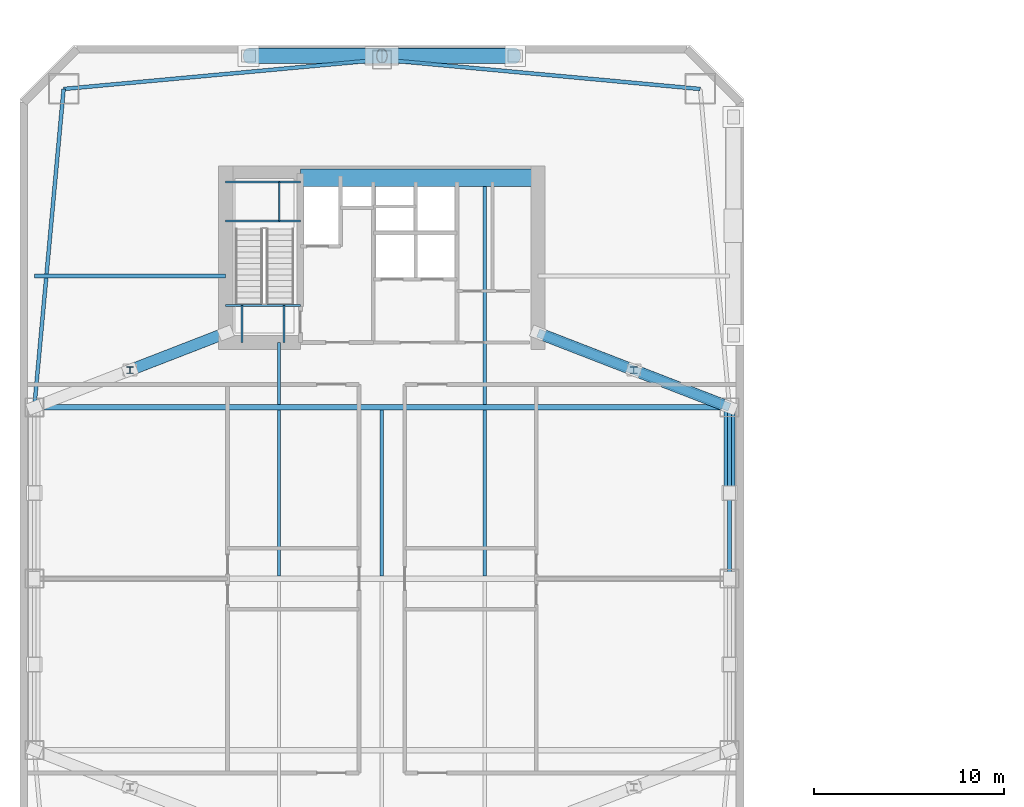
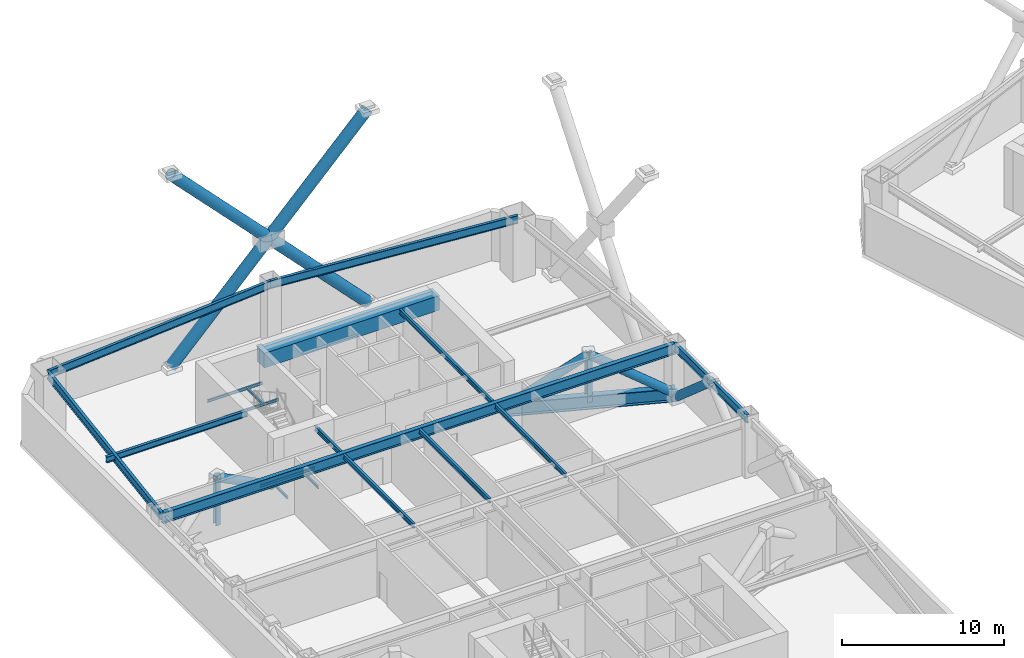
# One storey, part 5 of 19: 19 beams, 10 members.
"""IFC4 building model written with IfcOpenShell, lengths in metres."""

from ifc_helpers import new_model, si_unit, direction, frame, origin, origin_2d, place, context, subcontext, project, spatial, rectangle, hollow_circle, i_section, extrude, material, material_profile, profile_set, type_object, element, save


model = new_model("IFC4")

# Units and contexts
model_context = context("Model", 3, precision=1e-05, world=origin(), true_north=direction((0.0, 1.0)))
body_context = subcontext(model_context, "Body", "Model", "MODEL_VIEW")
ifc_project = project(units=[si_unit("LENGTHUNIT", "METRE"), si_unit("AREAUNIT", "SQUARE_METRE"), si_unit("VOLUMEUNIT", "CUBIC_METRE"), si_unit("PLANEANGLEUNIT", "RADIAN"), si_unit("MASSUNIT", "GRAM", prefix="KILO")], contexts=[model_context])

# Site, building, storey
site_placement = place(None, origin())
site = spatial("IfcSite", under=ifc_project, at=site_placement, CompositionType="ELEMENT")
building_placement = place(site_placement, origin())
building = spatial("IfcBuilding", under=site, at=building_placement, Name="Qiaolan Cultural Towers", CompositionType="ELEMENT")
storey_placement = place(building_placement, frame((0.0, 0.0, 92.0)))
storey = spatial("IfcBuildingStorey", under=building, at=storey_placement, Name="L23", CompositionType="ELEMENT", Elevation=92.0)

# Beams
ifc_material_1 = material(Name="Steel Q390GJB", Category="steel")
ifc_material_profile_1 = material_profile(ifc_material_1, i_section(OverallWidth=0.449951171875, OverallDepth=1.0, WebThickness=0.02392578125, FlangeThickness=0.0400390625, at=origin_2d()), Name="BH1000x450x24x40")
ifc_profile_set_1 = profile_set([ifc_material_profile_1], Name="Steel Q390GJB")
beam_type_1 = type_object("IfcBeamType", Name="BM-BH1000x450x24x40", PredefinedType="BEAM", material=ifc_profile_set_1)
beam_1_placement = place(storey_placement, frame((38.199951171875, 46.89990234375, 0.5), z_axis=(0.932269206067, -0.361765293276, 0.0), x_axis=(0.361765293276, 0.932269206067, 0.0)))
element("IfcBeam", 1, at=beam_1_placement, inside=storey, type_object=beam_type_1, Name="L23 T1 Outrigger Bottom Chord Girder EN", PredefinedType="BEAM", context=body_context, shape_type="SweptSolid", body=[
    extrude(i_section(OverallWidth=0.449951171875, OverallDepth=1.0, WebThickness=0.02392578125, FlangeThickness=0.0400390625, at=origin_2d()), origin(), (0.0, 0.0, 1.0), 10.7802734375),
])
ifc_material_2 = material(Name="Steel Q355B", Category="steel")
ifc_material_profile_2 = material_profile(ifc_material_2, i_section(OverallWidth=0.300048828125, OverallDepth=0.800048828125, WebThickness=0.013916015625, FlangeThickness=0.02587890625, at=origin_2d()), Name="HN800x300x14x26")
ifc_profile_set_2 = profile_set([ifc_material_profile_2], Name="Steel Q355B")
beam_type_2 = type_object("IfcBeamType", Name="BM-HN800x300x14x26", PredefinedType="BEAM", material=ifc_profile_set_2)
beam_2_placement = place(storey_placement, frame((11.75, 43.0, 3.93994140625), z_axis=(1.0, 0.0, 0.0), x_axis=(0.0, 1.0, 0.0)))
element("IfcBeam", 2, at=beam_2_placement, inside=storey, type_object=beam_type_2, Name="L23 T1 Primary Transverse Girder V3", PredefinedType="BEAM", context=body_context, shape_type="SweptSolid", body=[
    extrude(i_section(OverallWidth=0.300048828125, OverallDepth=0.800048828125, WebThickness=0.013916015625, FlangeThickness=0.02587890625, at=origin_2d()), origin(), (0.0, 0.0, 1.0), 36.5),
])
ifc_material_3 = material(Name="Steel Q355B", Category="steel")
ifc_material_profile_3 = material_profile(ifc_material_3, i_section(OverallWidth=0.175048828125, OverallDepth=0.35009765625, WebThickness=0.007080078125, FlangeThickness=0.010986328125, at=origin_2d()), Name="HN350x175x7x11")
ifc_profile_set_3 = profile_set([ifc_material_profile_3], Name="Steel Q355B")
beam_type_3 = type_object("IfcBeamType", Name="BM-JST-HN350x175x7x11", PredefinedType="JOIST", material=ifc_profile_set_3)
beam_3_placement = place(storey_placement, frame((24.60009765625, 34.14990234375, 4.1650390625), z_axis=(0.0, 1.0, 0.0), x_axis=(-1.0, 0.0, 0.0)))
element("IfcBeam", 3, at=beam_3_placement, inside=storey, type_object=beam_type_3, Name="L23 T1 Secondary Floor Joist U1-3", PredefinedType="JOIST", context=body_context, shape_type="SweptSolid", body=[
    extrude(i_section(OverallWidth=0.175048828125, OverallDepth=0.35009765625, WebThickness=0.007080078125, FlangeThickness=0.010986328125, at=origin_2d()), origin(), (0.0, 0.0, 1.0), 8.7001953125),
])
beam_4_placement = place(storey_placement, frame((24.60009765625, 43.14990234375, 4.1650390625), z_axis=(0.0, 1.0, 0.0), x_axis=(-1.0, 0.0, 0.0)))
element("IfcBeam", 4, at=beam_4_placement, inside=storey, type_object=beam_type_3, Name="L23 T1 Secondary Floor Joist U1-4", PredefinedType="JOIST", context=body_context, shape_type="SweptSolid", body=[
    extrude(i_section(OverallWidth=0.175048828125, OverallDepth=0.35009765625, WebThickness=0.007080078125, FlangeThickness=0.010986328125, at=origin_2d()), origin(), (0.0, 0.0, 1.0), 3.25),
])
for number, where, z_axis, x_axis, name in (
    (5, (30.0, 34.14990234375, 4.1650390625), (0.0, 1.0, 0.0), (-1.0, 0.0, 0.0), "L23 T1 Secondary Floor Joist U2-3"),
    (6, (35.39990234375, 34.14990234375, 4.1650390625), (0.0, 1.0, 0.0), (-1.0, 0.0, 0.0), "L23 T1 Secondary Floor Joist U3-3"),
):
    element("IfcBeam", number, at=place(storey_placement, frame(where, z_axis=z_axis, x_axis=x_axis)), inside=storey, type_object=beam_type_3, Name=name, PredefinedType="JOIST", context=body_context, shape_type="SweptSolid", body=[
        extrude(i_section(OverallWidth=0.175048828125, OverallDepth=0.35009765625, WebThickness=0.007080078125, FlangeThickness=0.010986328125, at=origin_2d()), origin(), (0.0, 0.0, 1.0), 8.7001953125),
    ])
beam_5_placement = place(storey_placement, frame((35.39990234375, 43.14990234375, 4.1650390625), z_axis=(0.0, 1.0, 0.0), x_axis=(-1.0, 0.0, 0.0)))
element("IfcBeam", 7, at=beam_5_placement, inside=storey, type_object=beam_type_3, Name="L23 T1 Secondary Floor Joist U3-4", PredefinedType="JOIST", context=body_context, shape_type="SweptSolid", body=[
    extrude(i_section(OverallWidth=0.175048828125, OverallDepth=0.35009765625, WebThickness=0.007080078125, FlangeThickness=0.010986328125, at=origin_2d()), origin(), (0.0, 0.0, 1.0), 11.4501953125),
])
ifc_material_4 = material(Name="Steel Q355B", Category="steel")
ifc_material_profile_4 = material_profile(ifc_material_4, i_section(OverallWidth=0.199951171875, OverallDepth=0.449951171875, WebThickness=0.009033203125, FlangeThickness=0.013916015625, at=origin_2d()), Name="HN450x200x9x14")
ifc_profile_set_4 = profile_set([ifc_material_profile_4], Name="Steel Q355B")
beam_type_4 = type_object("IfcBeamType", Name="BM-LNT-HN450x200x9x14", PredefinedType="LINTEL", material=ifc_profile_set_4)
beam_6_placement = place(storey_placement, frame((21.800048828125, 49.89990234375, 4.114990234375), z_axis=(-1.0, 0.0, 0.0), x_axis=(0.0, -1.0, 0.0)))
element("IfcBeam", 8, at=beam_6_placement, inside=storey, type_object=beam_type_4, Name="L23 T1 Core Flank Tie Lintel WN", PredefinedType="LINTEL", context=body_context, shape_type="SweptSolid", body=[
    extrude(i_section(OverallWidth=0.199951171875, OverallDepth=0.449951171875, WebThickness=0.009033203125, FlangeThickness=0.013916015625, at=origin_2d()), origin(), (0.0, 0.0, 1.0), 10.050048828125),
])
ifc_material_5 = material(Name="Concrete C50", Category="concrete")
ifc_material_profile_5 = material_profile(ifc_material_5, rectangle(XDim=0.89990234375, YDim=1.10009765625, at=origin_2d()), Name="RC900x1100")
ifc_profile_set_5 = profile_set([ifc_material_profile_5], Name="Concrete C50")
beam_type_5 = type_object("IfcBeamType", Name="BM-RC900x1100", PredefinedType="BEAM", material=ifc_profile_set_5)
beam_7_placement = place(storey_placement, frame((25.719970703125, 55.050048828125, 3.7900390625), z_axis=(1.0, 0.0, 0.0), x_axis=(0.0, 1.0, 0.0)))
element("IfcBeam", 9, at=beam_7_placement, inside=storey, type_object=beam_type_5, Name="L23 T1 Core Header Girder N", PredefinedType="BEAM", context=body_context, shape_type="SweptSolid", body=[
    extrude(rectangle(XDim=0.89990234375, YDim=1.10009765625, at=origin_2d()), origin(), (0.0, 0.0, 1.0), 12.47998046875),
])
ifc_material_6 = material(Name="Steel Q355B", Category="steel")
ifc_material_profile_6 = material_profile(ifc_material_6, i_section(OverallWidth=0.199951171875, OverallDepth=0.60009765625, WebThickness=0.010986328125, FlangeThickness=0.01708984375, at=origin_2d()), Name="HN600x200x11x17")
ifc_profile_set_6 = profile_set([ifc_material_profile_6], Name="Steel Q355B")
beam_type_6 = type_object("IfcBeamType", Name="BM-SPD-HN600x200x11x17", PredefinedType="SPANDREL", material=ifc_profile_set_6)
beam_8_placement = place(storey_placement, frame((48.25, 34.0, 4.0400390625), z_axis=(0.0, 1.0, 0.0), x_axis=(-1.0, 0.0, 0.0)))
element("IfcBeam", 10, at=beam_8_placement, inside=storey, type_object=beam_type_6, Name="L23 T1 Perimeter Spandrel Beam 5", PredefinedType="SPANDREL", context=body_context, shape_type="SweptSolid", body=[
    extrude(i_section(OverallWidth=0.199951171875, OverallDepth=0.60009765625, WebThickness=0.010986328125, FlangeThickness=0.01708984375, at=origin_2d()), origin(), (0.0, 0.0, 1.0), 9.0),
])
for number, where, z_axis, x_axis, name in (
    (11, (46.7099609375, 59.7099609375, 4.0400390625), (-0.995779862064, 0.09177399582, 0.0), (-0.09177399582, -0.995779862064, 0.0), "L23 T1 Perimeter Spandrel Beam 7"),
    (12, (30.0, 61.25, 4.0400390625), (-0.995779862064, -0.09177399582, 0.0), (0.09177399582, -0.995779862064, 0.0), "L23 T1 Perimeter Spandrel Beam 8"),
    (13, (13.2900390625, 59.7099609375, 4.0400390625), (-0.09177399582, -0.995779862064, 0.0), (0.995779862064, -0.09177399582, 0.0), "L23 T1 Perimeter Spandrel Beam 9"),
):
    element("IfcBeam", number, at=place(storey_placement, frame(where, z_axis=z_axis, x_axis=x_axis)), inside=storey, type_object=beam_type_6, Name=name, PredefinedType="SPANDREL", context=body_context, shape_type="SweptSolid", body=[
        extrude(i_section(OverallWidth=0.199951171875, OverallDepth=0.60009765625, WebThickness=0.010986328125, FlangeThickness=0.01708984375, at=origin_2d()), origin(), (0.0, 0.0, 1.0), 16.78076171875),
    ])
ifc_material_7 = material(Name="Steel Q355B", Category="steel")
ifc_material_profile_7 = material_profile(ifc_material_7, i_section(OverallWidth=0.10009765625, OverallDepth=0.199951171875, WebThickness=0.005615234375, FlangeThickness=0.008056640625, at=origin_2d()), Name="HN200x100x5.5x8")
ifc_profile_set_7 = profile_set([ifc_material_profile_7], Name="Steel Q355B")
beam_type_7 = type_object("IfcBeamType", Name="BM-STTRIM-200", PredefinedType="BEAM", material=ifc_profile_set_7)
beam_9_placement = place(storey_placement, frame((21.800048828125, 48.340087890625, -0.4599609375), z_axis=(1.0, 0.0, 0.0), x_axis=(0.0, 1.0, 0.0)))
element("IfcBeam", 14, at=beam_9_placement, inside=storey, type_object=beam_type_7, Name="L23 ST-W2 Floor Landing Header Beam", PredefinedType="BEAM", context=body_context, shape_type="SweptSolid", body=[
    extrude(i_section(OverallWidth=0.10009765625, OverallDepth=0.199951171875, WebThickness=0.005615234375, FlangeThickness=0.008056640625, at=origin_2d()), origin(), (0.0, 0.0, 1.0), 3.919921875),
])
for number, where, z_axis, x_axis, name in (
    (15, (22.64990234375, 46.39990234375, -0.4599609375), (0.0, 1.0, 0.0), (-1.0, 0.0, 0.0), "L23 ST-W2 Floor Landing Stringer 1"),
    (16, (24.85009765625, 46.39990234375, -0.4599609375), (0.0, 1.0, 0.0), (-1.0, 0.0, 0.0), "L23 ST-W2 Floor Landing Stringer 2"),
):
    element("IfcBeam", number, at=place(storey_placement, frame(where, z_axis=z_axis, x_axis=x_axis)), inside=storey, type_object=beam_type_7, Name=name, PredefinedType="BEAM", context=body_context, shape_type="SweptSolid", body=[
        extrude(i_section(OverallWidth=0.10009765625, OverallDepth=0.199951171875, WebThickness=0.005615234375, FlangeThickness=0.008056640625, at=origin_2d()), origin(), (0.0, 0.0, 1.0), 1.940185546875),
    ])
for number, where, z_axis, x_axis, name in (
    (17, (21.800048828125, 52.788818359375, 2.0), (1.0, 0.0, 0.0), (0.0, 1.0, 0.0), "L23 ST-W2 Stair Landing Support Beam 1-1"),
    (18, (21.800048828125, 54.820068359375, 2.0), (1.0, 0.0, 0.0), (0.0, 1.0, 0.0), "L23 ST-W2 Stair Landing Support Beam 1-2"),
):
    element("IfcBeam", number, at=place(storey_placement, frame(where, z_axis=z_axis, x_axis=x_axis)), inside=storey, type_object=beam_type_7, Name=name, PredefinedType="BEAM", context=body_context, shape_type="SweptSolid", body=[
        extrude(i_section(OverallWidth=0.10009765625, OverallDepth=0.199951171875, WebThickness=0.005615234375, FlangeThickness=0.008056640625, at=origin_2d()), origin(), (0.0, 0.0, 1.0), 3.919921875),
    ])
beam_10_placement = place(storey_placement, frame((24.610107421875, 52.788818359375, 2.0), z_axis=(0.0, 1.0, 0.0), x_axis=(-1.0, 0.0, 0.0)))
element("IfcBeam", 19, at=beam_10_placement, inside=storey, type_object=beam_type_7, Name="L23 ST-W2 Stair Landing Trimmer 1", PredefinedType="BEAM", context=body_context, shape_type="SweptSolid", body=[
    extrude(i_section(OverallWidth=0.10009765625, OverallDepth=0.199951171875, WebThickness=0.005615234375, FlangeThickness=0.008056640625, at=origin_2d()), origin(), (0.0, 0.0, 1.0), 2.03125),
])

# Members
ifc_material_8 = material(Name="Steel Q355B", Category="steel")
ifc_material_profile_8 = material_profile(ifc_material_8, hollow_circle(Radius=0.300048828125, WallThickness=0.030029296875, at=origin_2d()), Name="CHS600x30")
ifc_profile_set_8 = profile_set([ifc_material_profile_8], Name="Steel Q355B")
member_type_1 = type_object("IfcMemberType", Name="MBR-BRC-CHS600x30", PredefinedType="BRACE", material=ifc_profile_set_8)
for number, where, z_axis, x_axis, name in (
    (20, (21.800048828125, 46.89990234375, 0.5), (-0.78057195962, -0.302892107151, 0.546775810805), (0.361757655394, -0.932272169897, 0.0), "L23 T1 Outrigger Truss Diagonal WN-1"),
    (21, (38.199951171875, 46.89990234375, 0.5), (0.78057195962, -0.302892107151, 0.546775810805), (0.361757655394, 0.932272169897, 0.0), "L23 T1 Outrigger Truss Diagonal EN-1"),
):
    element("IfcMember", number, at=place(storey_placement, frame(where, z_axis=z_axis, x_axis=x_axis)), inside=storey, type_object=member_type_1, Name=name, PredefinedType="BRACE", context=body_context, shape_type="SweptSolid", body=[
        extrude(hollow_circle(Radius=0.300048828125, WallThickness=0.030029296875, at=origin_2d()), origin(), (0.0, 0.0, 1.0), 6.437744140625),
    ])
member_1_placement = place(storey_placement, frame((43.22509765625, 44.949951171875, 4.02001953125), z_axis=(0.78055714211, -0.302901073464, -0.546791996645), x_axis=(0.361772931457, 0.932266242049, 0.0)))
element("IfcMember", 22, at=member_1_placement, inside=storey, type_object=member_type_1, Name="L23 T1 Outrigger Truss Diagonal EN-2", PredefinedType="BRACE", context=body_context, shape_type="SweptSolid", body=[
    extrude(hollow_circle(Radius=0.300048828125, WallThickness=0.030029296875, at=origin_2d()), origin(), (0.0, 0.0, 1.0), 6.4375),
])
member_2_placement = place(storey_placement, frame((48.25, 38.5, 4.1201171875), z_axis=(0.0, 0.754014275447, -0.656858030645), x_axis=(-1.0, 0.0, 0.0)))
element("IfcMember", 23, at=member_2_placement, inside=storey, type_object=member_type_1, Name="L23 T1 Perimeter Belt Truss E2-B", PredefinedType="BRACE", context=body_context, shape_type="SweptSolid", body=[
    extrude(hollow_circle(Radius=0.300048828125, WallThickness=0.030029296875, at=origin_2d()), origin(), (0.0, 0.0, 1.0), 5.968017578125),
])
ifc_material_9 = material(Name="Steel Q390GJB", Category="steel")
ifc_material_profile_9 = material_profile(ifc_material_9, hollow_circle(Radius=0.39990234375, WallThickness=0.0400390625, at=origin_2d()), Name="CHS800x40")
ifc_profile_set_9 = profile_set([ifc_material_profile_9], Name="Steel Q390GJB")
member_type_2 = type_object("IfcMemberType", Name="MBR-BRC-CHS800x40", PredefinedType="BRACE", material=ifc_profile_set_9)
for number, where, z_axis, x_axis, name in (
    (24, (23.0, 61.449951171875, 0.14990234375), (0.6945945137, 0.0, 0.719401460617), (0.0, 1.0, 0.0), "T1 NORTH Perimeter Frame Diagonal W-Z2-M1-D1A"),
    (25, (30.0, 61.449951171875, 7.39990234375), (0.6945945137, 0.0, 0.719401460617), (0.0, 1.0, 0.0), "T1 NORTH Perimeter Frame Diagonal W-Z2-M1-D1B"),
    (26, (37.0, 61.449951171875, 0.14990234375), (-0.6945945137, 0.0, 0.719401460617), (0.0, -1.0, 0.0), "T1 NORTH Perimeter Frame Diagonal W-Z2-M1-D2A"),
    (27, (30.0, 61.449951171875, 7.39990234375), (-0.6945945137, 0.0, 0.719401460617), (0.0, -1.0, 0.0), "T1 NORTH Perimeter Frame Diagonal W-Z2-M1-D2B"),
):
    element("IfcMember", number, at=place(storey_placement, frame(where, z_axis=z_axis, x_axis=x_axis)), inside=storey, type_object=member_type_2, Name=name, PredefinedType="BRACE", context=body_context, shape_type="SweptSolid", body=[
        extrude(hollow_circle(Radius=0.39990234375, WallThickness=0.0400390625, at=origin_2d()), origin(), (0.0, 0.0, 1.0), 10.077880859375),
    ])
ifc_material_10 = material(Name="Steel Q355B", Category="steel")
ifc_material_profile_10 = material_profile(ifc_material_10, i_section(OverallWidth=0.35009765625, OverallDepth=0.35009765625, WebThickness=0.011962890625, FlangeThickness=0.01904296875, at=origin_2d()), Name="HW350x350x12x19")
ifc_profile_set_10 = profile_set([ifc_material_profile_10], Name="Steel Q355B")
member_type_3 = type_object("IfcMemberType", Name="MBR-POST-HW350x350x12x19", PredefinedType="STUD", material=ifc_profile_set_10)
for number, where, z_axis, x_axis, name in (
    (28, (16.77490234375, 44.949951171875, 0.5), (0.0, 0.0, 1.0), (1.0, 0.0, 0.0), "L23 T1 Outrigger King Web WN"),
    (29, (43.22509765625, 44.949951171875, 0.5), (0.0, 0.0, 1.0), (1.0, 0.0, 0.0), "L23 T1 Outrigger King Web EN"),
):
    element("IfcMember", number, at=place(storey_placement, frame(where, z_axis=z_axis, x_axis=x_axis)), inside=storey, type_object=member_type_3, Name=name, PredefinedType="STUD", context=body_context, shape_type="SweptSolid", body=[
        extrude(i_section(OverallWidth=0.35009765625, OverallDepth=0.35009765625, WebThickness=0.011962890625, FlangeThickness=0.01904296875, at=origin_2d()), origin(), (0.0, 0.0, 1.0), 3.52001953125),
    ])

save(model, "model.ifc")
